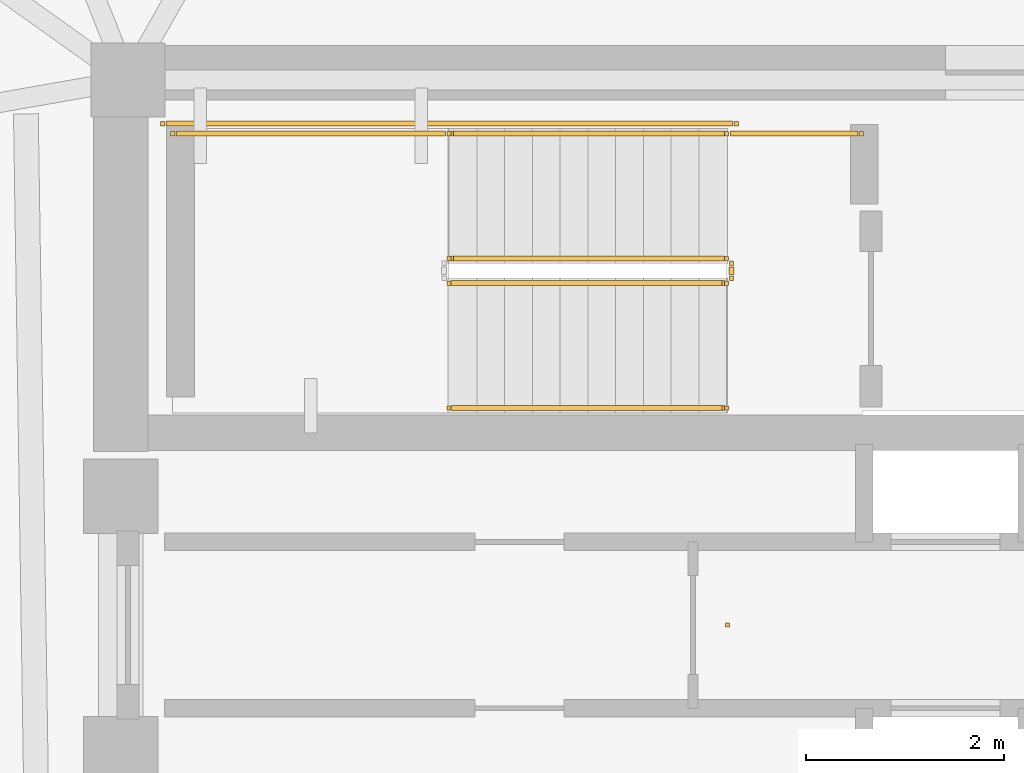
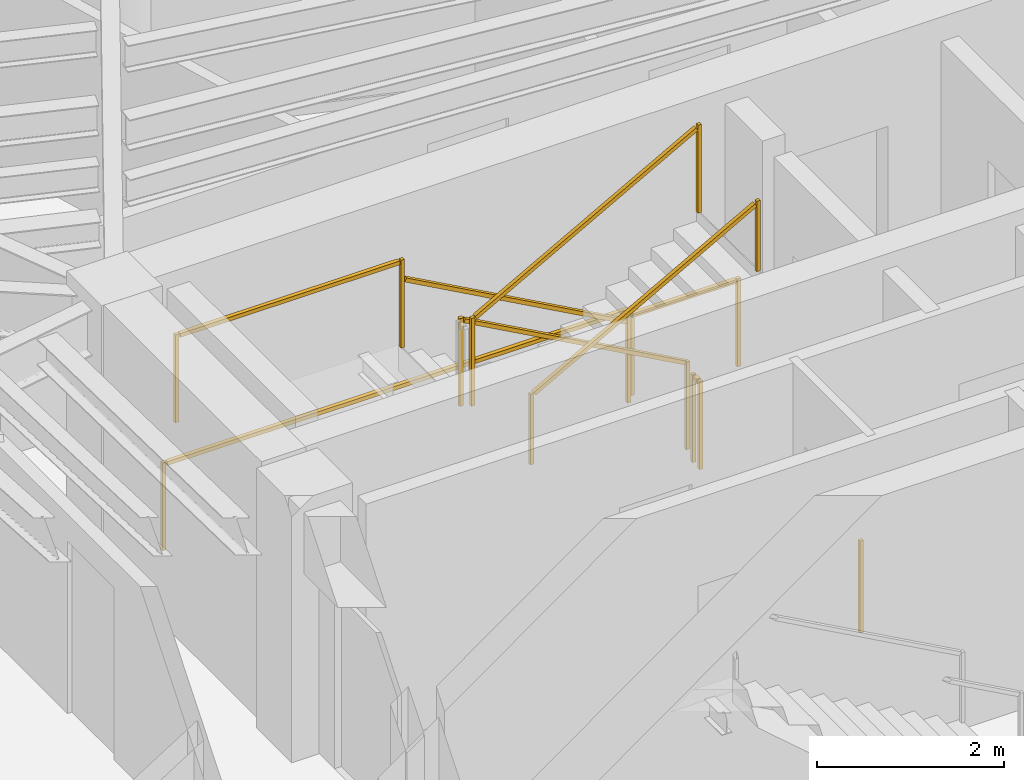
# One storey, part 8 of 9: 9 railings.
"""IFC4 building model written with IfcOpenShell, lengths in metres."""

from ifc_helpers import new_model, si_unit, direction, frame, origin, origin_2d, place, context, subcontext, project, spatial, rectangle, extrude, material, type_object, element, save


model = new_model("IFC4")

# Units and contexts
model_context = context("Model", 3, precision=1e-05, world=origin(), true_north=direction((0.0, 1.0)))
body_context = subcontext(model_context, "Body", "Model", "MODEL_VIEW")
ifc_project = project(units=[si_unit("LENGTHUNIT", "METRE"), si_unit("AREAUNIT", "SQUARE_METRE"), si_unit("VOLUMEUNIT", "CUBIC_METRE"), si_unit("PLANEANGLEUNIT", "RADIAN"), si_unit("MASSUNIT", "GRAM", prefix="KILO")], contexts=[model_context])

# Site, building, storey
site_placement = place(None, origin())
site = spatial("IfcSite", under=ifc_project, at=site_placement, CompositionType="ELEMENT")
building_placement = place(site_placement, origin())
building = spatial("IfcBuilding", under=site, at=building_placement, Name="Yunling Apex Tower", CompositionType="ELEMENT")
storey_placement = place(building_placement, frame((0.0, 0.0, 260.949951171875)))
storey = spatial("IfcBuildingStorey", under=building, at=storey_placement, Name="L63", CompositionType="ELEMENT", Elevation=260.949951171875)

# Railings
ifc_material_1 = material(Name="Bronze anodised aluminium", Category="aluminium")
railing_type_1 = type_object("IfcRailingType", Name="RL-BAL-1200", PredefinedType="BALUSTRADE", material=ifc_material_1)
railing_1_placement = place(storey_placement, origin())
element("IfcRailing", 1, at=railing_1_placement, inside=storey, type_object=railing_type_1, Name="RL-TATR-L63", PredefinedType="BALUSTRADE", context=body_context, shape_type="SweptSolid", body=[
    extrude(rectangle(XDim=0.0439453125, YDim=0.0439453125, at=origin_2d()), origin(), (0.0, 0.0, 1.0), 1.199951171875),
])
ifc_material_2 = material(Name="Steel Q355B", Category="steel")
railing_type_2 = type_object("IfcRailingType", Name="RL-GRD-1150", PredefinedType="GUARDRAIL", material=ifc_material_2)
railing_2_placement = place(storey_placement, frame((-0.010009765625, 3.699951171875, 0.154541015625)))
element("IfcRailing", 2, at=railing_2_placement, inside=storey, type_object=railing_type_2, Name="L63 ST-1 stair guard 1", PredefinedType="GUARDRAIL", context=body_context, shape_type="SweptSolid", body=[
    extrude(rectangle(XDim=0.0439453125, YDim=0.0439453125, at=origin_2d()), origin(), (0.0, 0.0, 1.0), 1.14990234375),
    extrude(rectangle(XDim=0.0439453125, YDim=0.0439453125, at=origin_2d()), frame((-2.800048828125, 0.0, 1.54541015625)), (0.0, 0.0, 1.0), 1.14990234375),
    extrude(rectangle(XDim=0.050048828125, YDim=0.050048828125, at=origin_2d()), frame((-0.033447265625, 0.0, 1.143310546875), z_axis=(-0.875504190374, 0.0, 0.483210526207), x_axis=(0.0, -1.0, 0.0)), (0.0, 0.0, 1.0), 3.12158203125),
])
railing_3_placement = place(storey_placement, frame((-2.81005859375, 4.9599609375, 1.699951171875)))
element("IfcRailing", 3, at=railing_3_placement, inside=storey, type_object=railing_type_2, Name="L63 ST-1 stair guard 3", PredefinedType="GUARDRAIL", context=body_context, shape_type="SweptSolid", body=[
    extrude(rectangle(XDim=0.0439453125, YDim=0.0439453125, at=origin_2d()), origin(), (0.0, 0.0, 1.0), 1.14990234375),
    extrude(rectangle(XDim=0.0439453125, YDim=0.0439453125, at=origin_2d()), frame((-2.7900390625, 0.0, 0.0)), (0.0, 0.0, 1.0), 1.14990234375),
    extrude(rectangle(XDim=0.050048828125, YDim=0.050048828125, at=origin_2d()), frame((-0.038330078125, 0.0, 1.125), z_axis=(-1.0, 0.0, 0.0), x_axis=(0.0, -1.0, 0.0)), (0.0, 0.0, 1.0), 2.71337890625),
])
railing_4_placement = place(storey_placement, frame((-2.81005859375, 3.449951171875, 1.8544921875)))
element("IfcRailing", 4, at=railing_4_placement, inside=storey, type_object=railing_type_2, Name="L63 ST-1 stair guard 4", PredefinedType="GUARDRAIL", context=body_context, shape_type="SweptSolid", body=[
    extrude(rectangle(XDim=0.0439453125, YDim=0.0439453125, at=origin_2d()), origin(), (0.0, 0.0, 1.0), 1.14990234375),
    extrude(rectangle(XDim=0.0439453125, YDim=0.0439453125, at=origin_2d()), frame((2.800048828125, 0.0, 1.545654296875)), (0.0, 0.0, 1.0), 1.14990234375),
    extrude(rectangle(XDim=0.050048828125, YDim=0.050048828125, at=origin_2d()), frame((0.033447265625, 0.0, 1.143310546875), z_axis=(0.875471895205, 0.0, 0.483269035534), x_axis=(0.0, 1.0, 0.0)), (0.0, 0.0, 1.0), 3.12158203125),
])
railing_5_placement = place(storey_placement, frame((0.0400390625, 3.64990234375, 0.0)))
element("IfcRailing", 5, at=railing_5_placement, inside=storey, type_object=railing_type_2, Name="L63 ST-1 stair guard 5", PredefinedType="GUARDRAIL", context=body_context, shape_type="SweptSolid", body=[
    extrude(rectangle(XDim=0.0439453125, YDim=0.0439453125, at=origin_2d()), origin(), (0.0, 0.0, 1.0), 1.14990234375),
    extrude(rectangle(XDim=0.0439453125, YDim=0.0439453125, at=origin_2d()), frame((0.0, -0.14990234375, 0.0)), (0.0, 0.0, 1.0), 1.14990234375),
    extrude(rectangle(XDim=0.050048828125, YDim=0.050048828125, at=origin_2d()), frame((0.0, -0.038330078125, 1.125), z_axis=(0.0, -1.0, 0.0), x_axis=(1.0, 0.0, 0.0)), (0.0, 0.0, 1.0), 0.0732421875),
])
railing_6_placement = place(storey_placement, frame((1.35009765625, 4.9599609375, 0.0)))
element("IfcRailing", 6, at=railing_6_placement, inside=storey, type_object=railing_type_2, Name="L63 ST-1 stair guard 6", PredefinedType="GUARDRAIL", context=body_context, shape_type="SweptSolid", body=[
    extrude(rectangle(XDim=0.0439453125, YDim=0.0439453125, at=origin_2d()), origin(), (0.0, 0.0, 1.0), 1.14990234375),
    extrude(rectangle(XDim=0.0439453125, YDim=0.0439453125, at=origin_2d()), frame((-1.360107421875, 0.0, 0.0)), (0.0, 0.0, 1.0), 1.14990234375),
    extrude(rectangle(XDim=0.050048828125, YDim=0.050048828125, at=origin_2d()), frame((-0.038330078125, 0.0, 1.125), z_axis=(-1.0, 0.0, 0.0), x_axis=(0.0, -1.0, 0.0)), (0.0, 0.0, 1.0), 1.283447265625),
])
railing_7_placement = place(storey_placement, frame((0.090087890625, 5.06005859375, 0.0)))
element("IfcRailing", 7, at=railing_7_placement, inside=storey, type_object=railing_type_2, Name="L63 ST-1 stair guard 7", PredefinedType="GUARDRAIL", context=body_context, shape_type="SweptSolid", body=[
    extrude(rectangle(XDim=0.0439453125, YDim=0.0439453125, at=origin_2d()), origin(), (0.0, 0.0, 1.0), 1.14990234375),
    extrude(rectangle(XDim=0.0439453125, YDim=0.0439453125, at=origin_2d()), frame((-5.7900390625, 0.0, 0.0)), (0.0, 0.0, 1.0), 1.14990234375),
    extrude(rectangle(XDim=0.050048828125, YDim=0.050048828125, at=origin_2d()), frame((-0.038330078125, 0.0, 1.125), z_axis=(-1.0, 0.0, 0.0), x_axis=(0.0, -1.0, 0.0)), (0.0, 0.0, 1.0), 5.71337890625),
])
ifc_material_3 = material(Name="Silver anodised aluminium", Category="aluminium")
railing_type_3 = type_object("IfcRailingType", Name="RL-HND-900", PredefinedType="HANDRAIL", material=ifc_material_3)
railing_8_placement = place(storey_placement, frame((-0.010009765625, 4.9599609375, 0.154541015625)))
element("IfcRailing", 8, at=railing_8_placement, inside=storey, type_object=railing_type_3, Name="L63 ST-1 stair handrail 1", PredefinedType="HANDRAIL", context=body_context, shape_type="SweptSolid", body=[
    extrude(rectangle(XDim=0.0439453125, YDim=0.0439453125, at=origin_2d()), origin(), (0.0, 0.0, 1.0), 0.919921875),
    extrude(rectangle(XDim=0.0439453125, YDim=0.0439453125, at=origin_2d()), frame((-2.800048828125, 0.0, 1.54541015625)), (0.0, 0.0, 1.0), 0.919921875),
    extrude(rectangle(XDim=0.050048828125, YDim=0.050048828125, at=origin_2d()), frame((-0.033447265625, 0.0, 0.913330078125), z_axis=(-0.875504190374, 0.0, 0.483210526207), x_axis=(0.0, -1.0, 0.0)), (0.0, 0.0, 1.0), 3.12158203125),
])
railing_9_placement = place(storey_placement, frame((-2.81005859375, 2.18994140625, 1.8544921875)))
element("IfcRailing", 9, at=railing_9_placement, inside=storey, type_object=railing_type_3, Name="L63 ST-1 stair handrail 2", PredefinedType="HANDRAIL", context=body_context, shape_type="SweptSolid", body=[
    extrude(rectangle(XDim=0.0439453125, YDim=0.0439453125, at=origin_2d()), origin(), (0.0, 0.0, 1.0), 0.919921875),
    extrude(rectangle(XDim=0.0439453125, YDim=0.0439453125, at=origin_2d()), frame((2.800048828125, 0.0, 1.545654296875)), (0.0, 0.0, 1.0), 0.919921875),
    extrude(rectangle(XDim=0.050048828125, YDim=0.050048828125, at=origin_2d()), frame((0.033447265625, 0.0, 0.913330078125), z_axis=(0.875471895205, 0.0, 0.483269035534), x_axis=(0.0, 1.0, 0.0)), (0.0, 0.0, 1.0), 3.12158203125),
])

save(model, "model.ifc")
